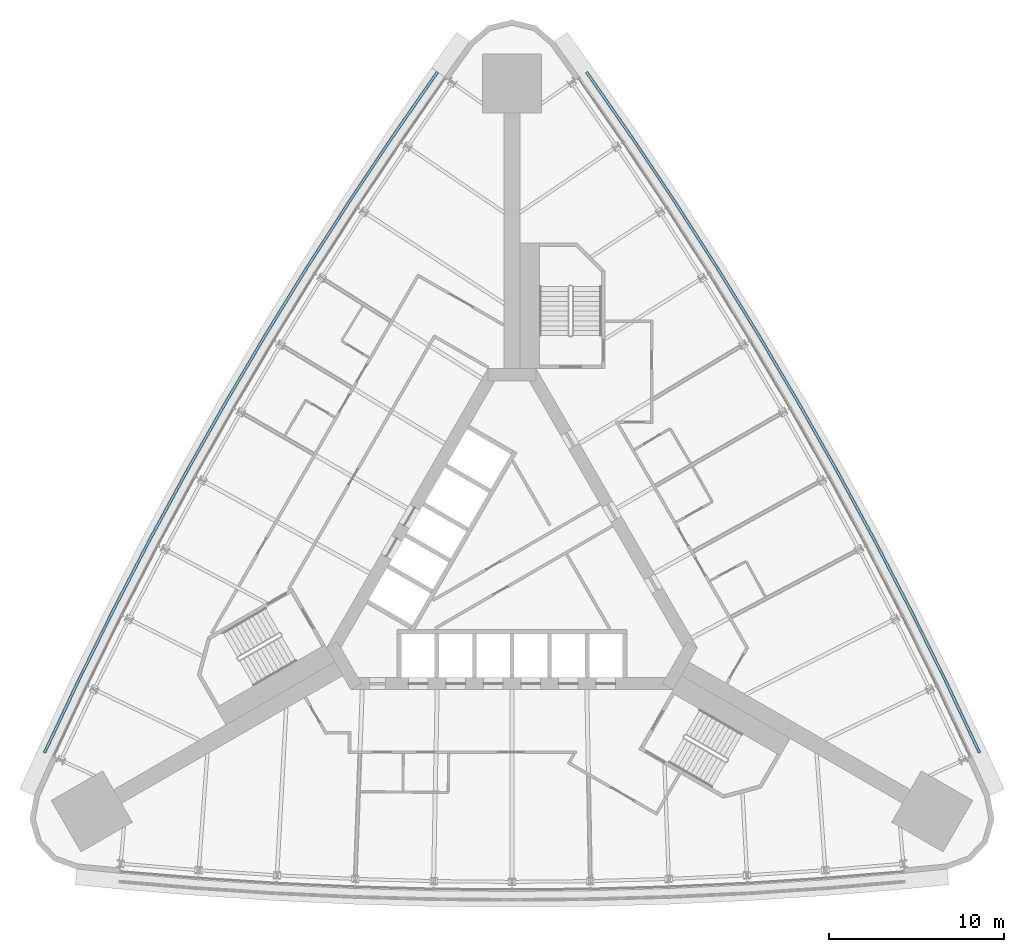
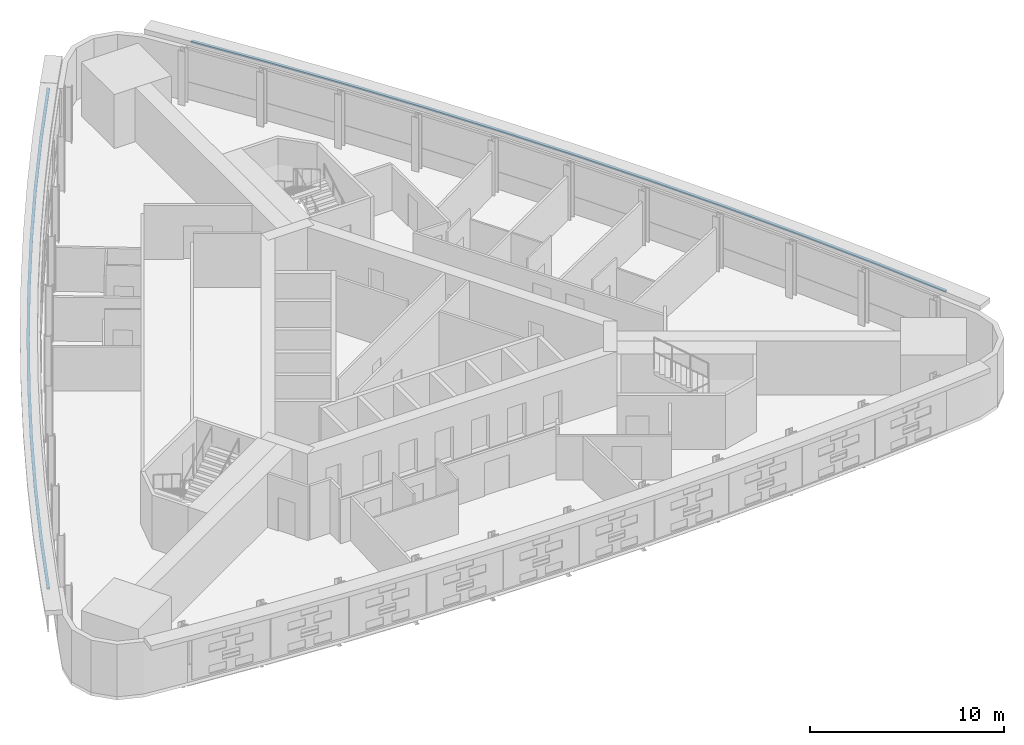
# One storey, part 13 of 15: 2 discrete accessories.
"""IFC4 building model written with IfcOpenShell, lengths in metres."""

from ifc_helpers import new_model, si_unit, direction, frame, origin, place, context, subcontext, project, spatial, polyline, outline, extrude, material, type_object, element, save


model = new_model("IFC4")

# Units and contexts
model_context = context("Model", 3, precision=1e-05, world=origin(), true_north=direction((0.0, 1.0)))
body_context = subcontext(model_context, "Body", "Model", "MODEL_VIEW")
ifc_project = project(units=[si_unit("LENGTHUNIT", "METRE"), si_unit("AREAUNIT", "SQUARE_METRE"), si_unit("VOLUMEUNIT", "CUBIC_METRE"), si_unit("PLANEANGLEUNIT", "RADIAN"), si_unit("MASSUNIT", "GRAM", prefix="KILO")], contexts=[model_context])

# Site, building, storey
site_placement = place(None, origin())
site = spatial("IfcSite", under=ifc_project, at=site_placement, CompositionType="ELEMENT")
building_placement = place(site_placement, origin())
building = spatial("IfcBuilding", under=site, at=building_placement, Name="Noor Cloister Tower", CompositionType="ELEMENT")
storey_placement = place(building_placement, frame((0.0, 0.0, 27.60009765625)))
storey = spatial("IfcBuildingStorey", under=building, at=storey_placement, Name="L06", CompositionType="ELEMENT", Elevation=27.60009765625)

# Discrete accessories
ifc_material = material(Name="Stainless steel grade 316", Category="steel")
discrete_accessory_type = type_object("IfcDiscreteAccessoryType", Name="Stainless hanger rail", PredefinedType="BRACKET", material=ifc_material)
discrete_accessory_1_placement = place(storey_placement, frame((0.0, 0.0, 3.199951171875)))
element("IfcDiscreteAccessory", 1, at=discrete_accessory_1_placement, inside=storey, type_object=discrete_accessory_type, Name="Hanger rail L06", PredefinedType="BRACKET", context=body_context, shape_type="SweptSolid", body=[
    extrude(outline(polyline([(-4.329833984375, 28.497314453125), (-6.89990234375, 24.797119140625), (-9.40380859375, 21.045654296875), (-11.837646484375, 17.248291015625), (-14.20068359375, 13.406494140625), (-16.491943359375, 9.521484375), (-18.710693359375, 5.5947265625), (-20.856201171875, 1.62744140625), (-22.927978515625, -2.37890625), (-24.9248046875, -6.423095703125), (-26.84423828125, -10.4990234375), (-26.699462890625, -10.567138671875), (-24.78076171875, -6.49267578125), (-22.78515625, -2.451171875), (-20.71484375, 1.552734375), (-18.57080078125, 5.517333984375), (-16.353271484375, 9.441650390625), (-14.0634765625, 13.323974609375), (-11.7021484375, 17.163330078125), (-9.269775390625, 20.9580078125), (-6.767578125, 24.70703125), (-4.1982421875, 28.406005859375), (-4.329833984375, 28.497314453125)])), origin(), (0.0, 0.0, 1.0), 0.099853515625),
])
discrete_accessory_2_placement = place(storey_placement, frame((0.0, 0.0, 3.199951171875)))
element("IfcDiscreteAccessory", 2, at=discrete_accessory_2_placement, inside=storey, type_object=discrete_accessory_type, Name="Hanger rail L06", PredefinedType="BRACKET", context=body_context, shape_type="SweptSolid", body=[
    extrude(outline(polyline([(26.84423828125, -10.4990234375), (24.9248046875, -6.423095703125), (22.927978515625, -2.37890625), (20.856201171875, 1.62744140625), (18.710693359375, 5.5947265625), (16.491943359375, 9.521484375), (14.20068359375, 13.406494140625), (11.837646484375, 17.248291015625), (9.40380859375, 21.045654296875), (6.89990234375, 24.797119140625), (4.329833984375, 28.497314453125), (4.1982421875, 28.406005859375), (6.767578125, 24.70703125), (9.269775390625, 20.9580078125), (11.7021484375, 17.163330078125), (14.0634765625, 13.323974609375), (16.353271484375, 9.441650390625), (18.57080078125, 5.517333984375), (20.71484375, 1.552734375), (22.78515625, -2.451171875), (24.78076171875, -6.49267578125), (26.699462890625, -10.567138671875), (26.84423828125, -10.4990234375)])), origin(), (0.0, 0.0, 1.0), 0.099853515625),
])

save(model, "model.ifc")
